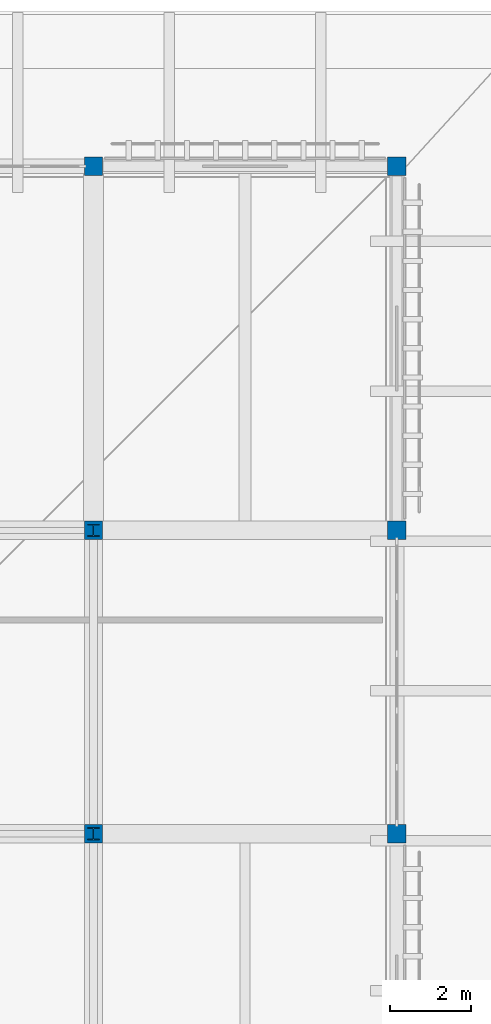
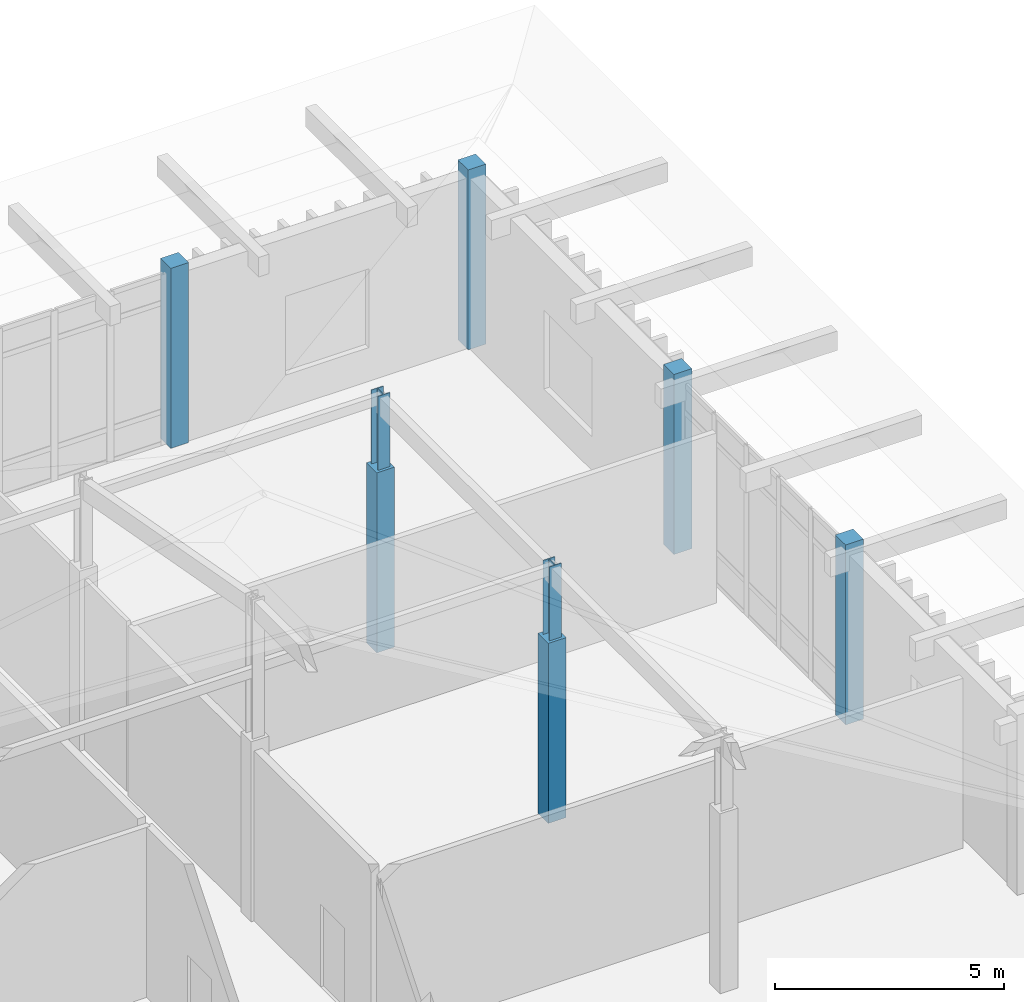
# One storey, part 14 of 131: 8 columns.
"""IFC4 building model written with IfcOpenShell, lengths in metres."""

from ifc_helpers import new_model, si_unit, direction, frame, origin, origin_2d, place, context, subcontext, project, spatial, rectangle, i_section, extrude, material, material_profile, profile_set, type_object, element, save


model = new_model("IFC4")

# Units and contexts
model_context = context("Model", 3, precision=1e-05, world=origin(), true_north=direction((0.0, 1.0)))
body_context = subcontext(model_context, "Body", "Model", "MODEL_VIEW")
ifc_project = project(units=[si_unit("LENGTHUNIT", "METRE"), si_unit("AREAUNIT", "SQUARE_METRE"), si_unit("VOLUMEUNIT", "CUBIC_METRE"), si_unit("PLANEANGLEUNIT", "RADIAN"), si_unit("MASSUNIT", "GRAM", prefix="KILO")], contexts=[model_context])

# Site, building, storey
site_placement = place(None, origin())
site = spatial("IfcSite", under=ifc_project, at=site_placement, CompositionType="ELEMENT")
building_placement = place(site_placement, origin())
building = spatial("IfcBuilding", under=site, at=building_placement, Name="Dalvernix Boulevard General Hospital", CompositionType="ELEMENT")
storey_placement = place(building_placement, frame((0.0, 0.0, 9.300048828125)))
storey = spatial("IfcBuildingStorey", under=building, at=storey_placement, Name="L02", CompositionType="ELEMENT", Elevation=9.300048828125)

# Columns
ifc_material_1 = material(Name="Concrete C40/50", Category="concrete")
ifc_material_profile_1 = material_profile(ifc_material_1, rectangle(XDim=0.449951171875, YDim=0.449951171875, at=origin_2d()), Name="RC 450x450")
ifc_profile_set_1 = profile_set([ifc_material_profile_1], Name="Concrete C40/50")
column_type_1 = type_object("IfcColumnType", Name="COL-C-10-E", PredefinedType="COLUMN", material=ifc_profile_set_1)
for number, where, z_axis, x_axis, name in (
    (1, (165.0, 85.5, 0.0), (0.0, 0.0, 1.0), (1.0, 0.0, 0.0), "L02 column 23M"),
    (2, (172.5, 69.0, 0.0), (0.0, 0.0, 1.0), (1.0, 0.0, 0.0), "L02 column 24K"),
    (3, (172.5, 76.5, 0.0), (0.0, 0.0, 1.0), (1.0, 0.0, 0.0), "L02 column 24L"),
    (4, (172.5, 85.5, 0.0), (0.0, 0.0, 1.0), (1.0, 0.0, 0.0), "L02 column 24M"),
):
    element("IfcColumn", number, at=place(storey_placement, frame(where, z_axis=z_axis, x_axis=x_axis)), inside=storey, type_object=column_type_1, Name=name, PredefinedType="COLUMN", context=body_context, shape_type="SweptSolid", body=[
        extrude(rectangle(XDim=0.449951171875, YDim=0.449951171875, at=origin_2d()), origin(), (0.0, 0.0, 1.0), 4.800048828125),
    ])
ifc_material_profile_2 = material_profile(ifc_material_1, rectangle(XDim=0.449951171875, YDim=0.449951171875, at=origin_2d()), Name="RC 450x450")
ifc_profile_set_2 = profile_set([ifc_material_profile_2], Name="Concrete C40/50")
column_type_2 = type_object("IfcColumnType", Name="COL-C-10-I", PredefinedType="COLUMN", material=ifc_profile_set_2)
for number, where, z_axis, x_axis, name in (
    (5, (165.0, 69.0, 0.0), (0.0, 0.0, 1.0), (1.0, 0.0, 0.0), "L02 column 23K"),
    (6, (165.0, 76.5, 0.0), (0.0, 0.0, 1.0), (1.0, 0.0, 0.0), "L02 column 23L"),
):
    element("IfcColumn", number, at=place(storey_placement, frame(where, z_axis=z_axis, x_axis=x_axis)), inside=storey, type_object=column_type_2, Name=name, PredefinedType="COLUMN", context=body_context, shape_type="SweptSolid", body=[
        extrude(rectangle(XDim=0.449951171875, YDim=0.449951171875, at=origin_2d()), origin(), (0.0, 0.0, 1.0), 4.800048828125),
    ])
ifc_material_2 = material(Name="Steel S355", Category="steel")
ifc_material_profile_3 = material_profile(ifc_material_2, i_section(OverallWidth=0.300048828125, OverallDepth=0.300048828125, WebThickness=0.010986328125, FlangeThickness=0.01904296875, FilletRadius=0.027099609375, at=origin_2d()), Name="HEB 300")
ifc_profile_set_3 = profile_set([ifc_material_profile_3], Name="Steel S355")
column_type_3 = type_object("IfcColumnType", Name="COL-C-18", PredefinedType="COLUMN", material=ifc_profile_set_3)
for number, where, z_axis, x_axis, name in (
    (7, (165.0, 69.0, 4.800048828125), (0.0, 0.0, 1.0), (1.0, 0.0, 0.0), "V2 roof king post 23K"),
    (8, (165.0, 76.5, 4.800048828125), (0.0, 0.0, 1.0), (1.0, 0.0, 0.0), "V2 roof king post 23L"),
):
    element("IfcColumn", number, at=place(storey_placement, frame(where, z_axis=z_axis, x_axis=x_axis)), inside=storey, type_object=column_type_3, Name=name, PredefinedType="COLUMN", context=body_context, shape_type="SweptSolid", body=[
        extrude(i_section(OverallWidth=0.300048828125, OverallDepth=0.300048828125, WebThickness=0.010986328125, FlangeThickness=0.01904296875, FilletRadius=0.027099609375, at=origin_2d()), origin(), (0.0, 0.0, 1.0), 1.969970703125),
    ])

save(model, "model.ifc")
